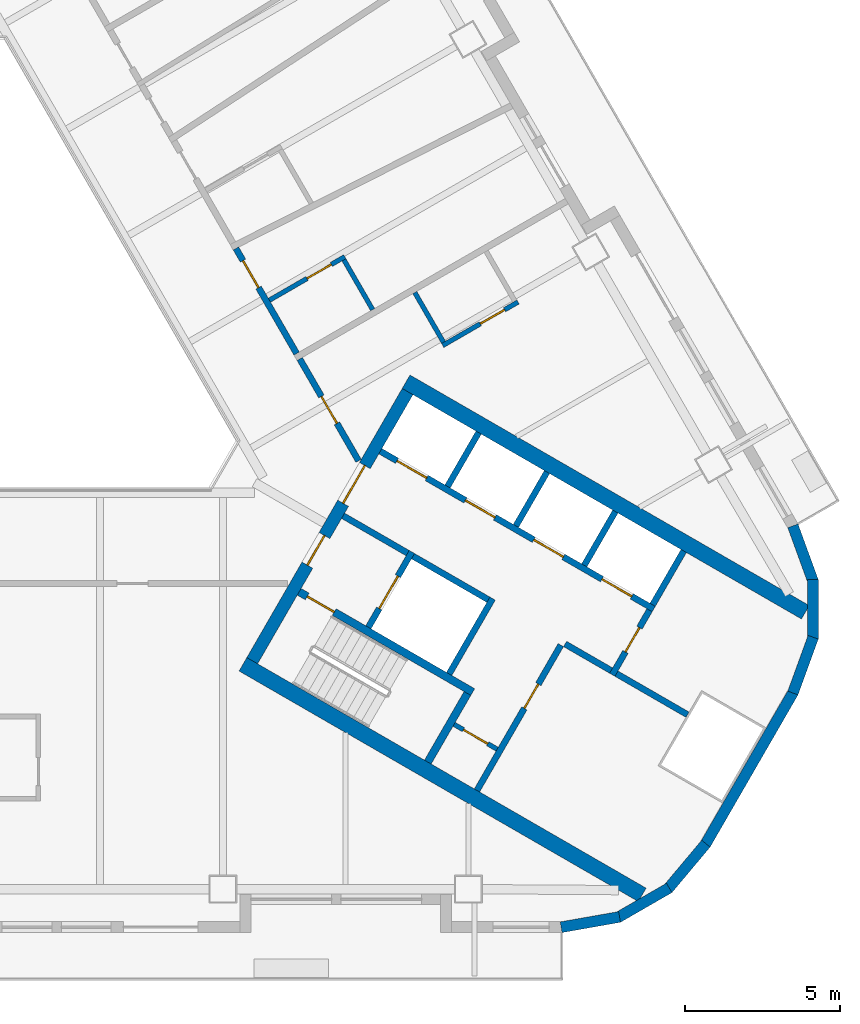
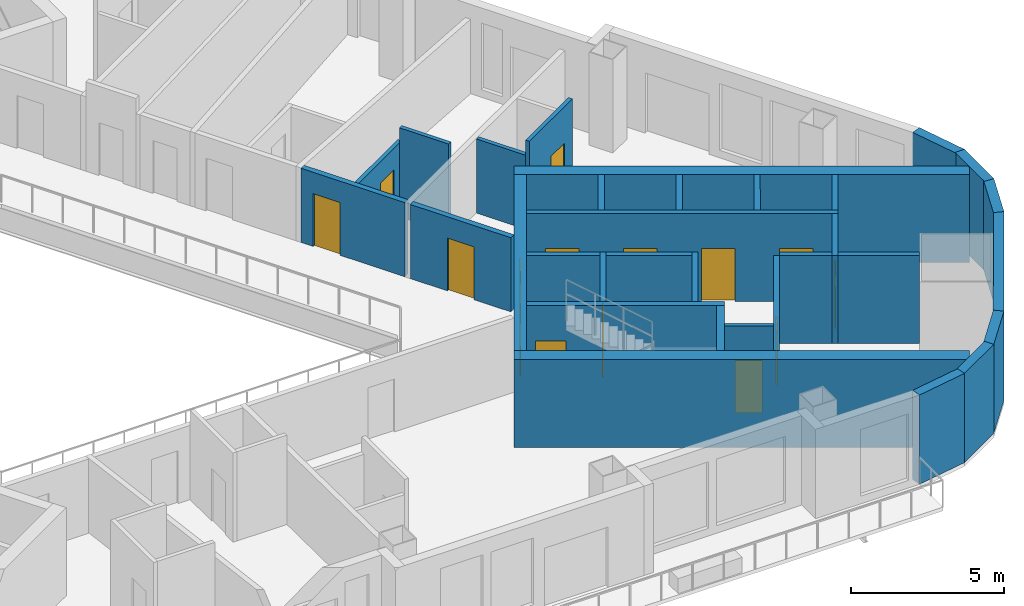
# One storey, part 5 of 14: 32 walls, 15 doors, 15 openings.
"""IFC4 building model written with IfcOpenShell, lengths in metres."""

from ifc_helpers import new_model, si_unit, direction, frame, frame_2d, origin, place, context, subcontext, project, spatial, rectangle, extrude, material, layer, layer_set, type_object, element, fill, save


model = new_model("IFC4")

# Units and contexts
model_context = context("Model", 3, precision=1e-05, world=origin(), true_north=direction((0.0, 1.0)))
body_context = subcontext(model_context, "Body", "Model", "MODEL_VIEW")
ifc_project = project(units=[si_unit("LENGTHUNIT", "METRE"), si_unit("AREAUNIT", "SQUARE_METRE"), si_unit("VOLUMEUNIT", "CUBIC_METRE"), si_unit("PLANEANGLEUNIT", "RADIAN"), si_unit("MASSUNIT", "GRAM", prefix="KILO")], contexts=[model_context])

# Site, building, storey
site_placement = place(None, origin())
site = spatial("IfcSite", under=ifc_project, at=site_placement, CompositionType="ELEMENT")
building_placement = place(site_placement, origin())
building = spatial("IfcBuilding", under=site, at=building_placement, Name="Apuvela Tower Hotel", CompositionType="ELEMENT")
storey_placement = place(building_placement, frame((0.0, 0.0, 116.800048828125)))
storey = spatial("IfcBuildingStorey", under=building, at=storey_placement, Name="L27", CompositionType="ELEMENT", Elevation=116.800048828125)

# Wall, openings, doors
ifc_material_1 = material(Name="Concrete C50/60", Category="concrete")
ifc_layer_1 = layer(ifc_material_1, 0.39990234375)
ifc_layer_set_1 = layer_set([ifc_layer_1], Name="COR-WALL-CORE-400")
wall_type_1 = type_object("IfcWallType", Name="COR-WALL-CORE-400", PredefinedType="SHEAR", material=ifc_layer_set_1)
wall_1_placement = place(storey_placement, frame((8.844970703125, -10.880126953125, 0.0), z_axis=(0.0, 0.0, 1.0), x_axis=(0.500004234368, 0.866022959057, 0.0)))
wall_1 = element("IfcWall", 1, at=wall_1_placement, inside=storey, type_object=wall_type_1, Name="Core wall SE", PredefinedType="SHEAR", context=body_context, shape_type="SweptSolid", body=[
    extrude(rectangle(XDim=10.0, YDim=0.39990234375, at=frame_2d((5.0, 0.0))), origin(), (0.0, 0.0, 1.0), 3.5),
])
opening_1_placement = place(wall_1_placement, frame((3.550048828125, 0.0, 0.0)))
opening_1 = element("IfcOpeningElement", 2, at=opening_1_placement, cuts=wall_1, Name="Opening E-FD", PredefinedType="OPENING", context=body_context, shape_type="SweptSolid", body=[
    extrude(rectangle(XDim=1.10009765625, YDim=2.10009765625, at=frame_2d((0.550048828125, 1.050048828125))), frame((0.0, 0.2099609375, 0.0), z_axis=(0.0, -1.0, 0.0), x_axis=(1.0, 0.0, 0.0)), (0.0, 0.0, 1.0), 0.419921875),
])
opening_2_placement = place(wall_1_placement, frame((5.85009765625, 0.0, 0.0)))
opening_2 = element("IfcOpeningElement", 3, at=opening_2_placement, cuts=wall_1, Name="Opening E-GD", PredefinedType="OPENING", context=body_context, shape_type="SweptSolid", body=[
    extrude(rectangle(XDim=1.39990234375, YDim=2.10009765625, at=frame_2d((0.699951171875, 1.050048828125))), frame((0.0, 0.2099609375, 0.0), z_axis=(0.0, -1.0, 0.0), x_axis=(1.0, 0.0, 0.0)), (0.0, 0.0, 1.0), 0.419921875),
])
ifc_material_2 = material(Name="Steel fire door, powder coated", Category="steel")
door_type_1 = type_object("IfcDoorType", Name="COR-FD-1100", OperationType="NOTDEFINED", PredefinedType="DOOR", material=ifc_material_2)
door_1_placement = place(opening_1_placement, frame((1.10009765625, 0.0, 0.0), z_axis=(0.0, 0.0, 1.0), x_axis=(-1.0, 0.0, 0.0)))
door_1 = element("IfcDoor", 4, at=door_1_placement, inside=storey, type_object=door_type_1, Name="Firefighting lobby door E-FD", OperationType="SINGLE_SWING_LEFT", OverallHeight=2.10009765625, OverallWidth=1.10009765625, PredefinedType="DOOR", context=body_context, shape_type="SweptSolid", body=[
    extrude(rectangle(XDim=1.10009765625, YDim=2.10009765625, at=frame_2d((0.550048828125, 1.050048828125))), frame((0.0, 0.02490234375, 0.0), z_axis=(0.0, -1.0, 0.0), x_axis=(1.0, 0.0, 0.0)), (0.0, 0.0, 1.0), 0.050048828125),
])
fill(opening_1, door_1)
ifc_material_3 = material(Name="Glazed steel fire door", Category="steel")
door_type_2 = type_object("IfcDoorType", Name="COR-GD-1400", OperationType="DOUBLE_DOOR_SINGLE_SWING", PredefinedType="DOOR", material=ifc_material_3)
door_2_placement = place(opening_2_placement, frame((1.39990234375, 0.0, 0.0), z_axis=(0.0, 0.0, 1.0), x_axis=(-1.0, 0.0, 0.0)))
door_2 = element("IfcDoor", 5, at=door_2_placement, inside=storey, type_object=door_type_2, Name="Lift lobby door E-GD", OperationType="DOUBLE_DOOR_SINGLE_SWING", OverallHeight=2.10009765625, OverallWidth=1.39990234375, PredefinedType="DOOR", context=body_context, shape_type="SweptSolid", body=[
    extrude(rectangle(XDim=1.39990234375, YDim=2.10009765625, at=frame_2d((0.699951171875, 1.050048828125))), frame((0.0, 0.02490234375, 0.0), z_axis=(0.0, -1.0, 0.0), x_axis=(1.0, 0.0, 0.0)), (0.0, 0.0, 1.0), 0.050048828125),
])
fill(opening_2, door_2)

# Walls
ifc_layer_2 = layer(ifc_material_1, 0.5)
ifc_layer_set_2 = layer_set([ifc_layer_2], Name="COR-WALL-CORE-500")
wall_type_2 = type_object("IfcWallType", Name="COR-WALL-CORE-500", PredefinedType="SHEAR", material=ifc_layer_set_2)
for number, where, z_axis, x_axis, name in (
    (6, (8.546630859375, -10.99658203125, 0.0), (0.0, 0.0, 1.0), (0.866025009528, -0.500000682871, 0.0), "Core wall SE"),
    (7, (13.796630859375, -1.9033203125, 0.0), (0.0, 0.0, 1.0), (0.866025009528, -0.500000682871, 0.0), "Core wall SE"),
):
    element("IfcWall", number, at=place(storey_placement, frame(where, z_axis=z_axis, x_axis=x_axis)), inside=storey, type_object=wall_type_2, Name=name, PredefinedType="SHEAR", context=body_context, shape_type="SweptSolid", body=[
        extrude(rectangle(XDim=14.8369140625, YDim=0.5, at=frame_2d((7.41845703125, 0.0))), origin(), (0.0, 0.0, 1.0), 3.5),
    ])

# Wall, opening, door
ifc_material_4 = material(Name="Blockwork 150 mm plastered", Category="masonry")
ifc_layer_3 = layer(ifc_material_4, 0.14990234375)
ifc_layer_set_3 = layer_set([ifc_layer_3], Name="COR-WALL-PART-150")
wall_type_3 = type_object("IfcWallType", Name="COR-WALL-PART-150", PredefinedType="PARTITIONING", material=ifc_layer_set_3)
wall_2_placement = place(storey_placement, frame((15.341552734375, -12.927734375, 0.0), z_axis=(0.0, 0.0, 1.0), x_axis=(0.865989903783, -0.500061482766, 0.0)))
wall_2 = element("IfcWall", 8, at=wall_2_placement, inside=storey, type_object=wall_type_3, Name="Partition SE", PredefinedType="PARTITIONING", context=body_context, shape_type="SweptSolid", body=[
    extrude(rectangle(XDim=1.599853515625, YDim=0.14990234375, at=frame_2d((0.7998046875, 0.0))), origin(), (0.0, 0.0, 1.0), 3.5),
])
opening_3_placement = place(wall_2_placement, frame((0.35009765625, 0.0, 0.0)))
opening_3 = element("IfcOpeningElement", 9, at=opening_3_placement, cuts=wall_2, Name="Opening E-RD", PredefinedType="OPENING", context=body_context, shape_type="SweptSolid", body=[
    extrude(rectangle(XDim=0.89990234375, YDim=2.10009765625, at=frame_2d((0.449951171875, 1.050048828125))), frame((0.0, 0.0849609375, 0.0), z_axis=(0.0, -1.0, 0.0), x_axis=(1.0, 0.0, 0.0)), (0.0, 0.0, 1.0), 0.169921875),
])
ifc_material_5 = material(Name="Steel access door, powder coated", Category="steel")
door_type_3 = type_object("IfcDoorType", Name="COR-RD-900", OperationType="NOTDEFINED", PredefinedType="DOOR", material=ifc_material_5)
door_3_placement = place(opening_3_placement, frame((0.89990234375, 0.0, 0.0), z_axis=(0.0, 0.0, 1.0), x_axis=(-1.0, 0.0, 0.0)))
door_3 = element("IfcDoor", 10, at=door_3_placement, inside=storey, type_object=door_type_3, Name="Riser door E-RD", OperationType="SINGLE_SWING_LEFT", OverallHeight=2.10009765625, OverallWidth=0.89990234375, PredefinedType="DOOR", context=body_context, shape_type="SweptSolid", body=[
    extrude(rectangle(XDim=0.89990234375, YDim=2.10009765625, at=frame_2d((0.449951171875, 1.050048828125))), frame((0.0, 0.02490234375, 0.0), z_axis=(0.0, -1.0, 0.0), x_axis=(1.0, 0.0, 0.0)), (0.0, 0.0, 1.0), 0.050048828125),
])
fill(opening_3, door_3)

ifc_material_6 = material(Name="Blockwork 200 mm plastered", Category="masonry")
ifc_layer_4 = layer(ifc_material_6, 0.199951171875)
ifc_layer_set_4 = layer_set([ifc_layer_4], Name="COR-WALL-PART-200")
wall_type_4 = type_object("IfcWallType", Name="COR-WALL-PART-200", PredefinedType="PARTITIONING", material=ifc_layer_set_4)
wall_3_placement = place(storey_placement, frame((16.076171875, -15.05517578125, 0.0), z_axis=(0.0, 0.0, 1.0), x_axis=(0.499995103361, 0.866028230842, 0.0)))
wall_3 = element("IfcWall", 11, at=wall_3_placement, inside=storey, type_object=wall_type_4, Name="Partition SE", PredefinedType="PARTITIONING", context=body_context, shape_type="SweptSolid", body=[
    extrude(rectangle(XDim=5.39990234375, YDim=0.199951171875, at=frame_2d((2.699951171875, 0.0))), origin(), (0.0, 0.0, 1.0), 3.5),
])
opening_4_placement = place(wall_3_placement, frame((3.050048828125, 0.0, 0.0)))
opening_4 = element("IfcOpeningElement", 12, at=opening_4_placement, cuts=wall_3, Name="Opening E-RS1", PredefinedType="OPENING", context=body_context, shape_type="SweptSolid", body=[
    extrude(rectangle(XDim=0.89990234375, YDim=2.10009765625, at=frame_2d((0.449951171875, 1.050048828125))), frame((0.0, 0.10986328125, 0.0), z_axis=(0.0, -1.0, 0.0), x_axis=(1.0, 0.0, 0.0)), (0.0, 0.0, 1.0), 0.219970703125),
])
door_type_4 = type_object("IfcDoorType", Name="COR-DR-900", OperationType="NOTDEFINED", PredefinedType="DOOR", material=ifc_material_2)
door_4_placement = place(opening_4_placement, frame((0.89990234375, 0.0, 0.0), z_axis=(0.0, 0.0, 1.0), x_axis=(-1.0, 0.0, 0.0)))
door_4 = element("IfcDoor", 13, at=door_4_placement, inside=storey, type_object=door_type_4, Name="Store door E-RS1", OperationType="SINGLE_SWING_LEFT", OverallHeight=2.10009765625, OverallWidth=0.89990234375, PredefinedType="DOOR", context=body_context, shape_type="SweptSolid", body=[
    extrude(rectangle(XDim=0.89990234375, YDim=2.10009765625, at=frame_2d((0.449951171875, 1.050048828125))), frame((0.0, 0.02490234375, 0.0), z_axis=(0.0, -1.0, 0.0), x_axis=(1.0, 0.0, 0.0)), (0.0, 0.0, 1.0), 0.050048828125),
])
fill(opening_4, door_4)

# Wall
ifc_layer_5 = layer(ifc_material_1, 0.199951171875)
ifc_layer_set_5 = layer_set([ifc_layer_5], Name="COR-WALL-SHAFT-200")
wall_type_5 = type_object("IfcWallType", Name="COR-WALL-SHAFT-200", PredefinedType="SHEAR", material=ifc_layer_set_5)
wall_4_placement = place(storey_placement, frame((15.181396484375, -11.305419921875, 0.0), z_axis=(0.0, 0.0, 1.0), x_axis=(0.49994636267, 0.866056369097, 0.0)))
element("IfcWall", 14, at=wall_4_placement, inside=storey, type_object=wall_type_5, Name="Shaft wall SE", PredefinedType="SHEAR", context=body_context, shape_type="SweptSolid", body=[
    extrude(rectangle(XDim=2.800048828125, YDim=0.199951171875, at=frame_2d((1.39990234375, 0.0))), origin(), (0.0, 0.0, 1.0), 3.5),
])

# Wall, opening, door
wall_5_placement = place(storey_placement, frame((12.583251953125, -9.805419921875, 0.0), z_axis=(0.0, 0.0, 1.0), x_axis=(0.49994636267, 0.866056369097, 0.0)))
wall_5 = element("IfcWall", 15, at=wall_5_placement, inside=storey, type_object=wall_type_5, Name="Shaft wall SE", PredefinedType="SHEAR", context=body_context, shape_type="SweptSolid", body=[
    extrude(rectangle(XDim=2.800048828125, YDim=0.199951171875, at=frame_2d((1.39990234375, 0.0))), origin(), (0.0, 0.0, 1.0), 3.5),
])
opening_5_placement = place(wall_5_placement, frame((0.699951171875, 0.0, 0.0)))
opening_5 = element("IfcOpeningElement", 16, at=opening_5_placement, cuts=wall_5, Name="Opening E-LD-FS3", PredefinedType="OPENING", context=body_context, shape_type="SweptSolid", body=[
    extrude(rectangle(XDim=1.199951171875, YDim=2.10009765625, at=frame_2d((0.60009765625, 1.050048828125))), frame((0.0, 0.10986328125, 0.0), z_axis=(0.0, -1.0, 0.0), x_axis=(1.0, 0.0, 0.0)), (0.0, 0.0, 1.0), 0.219970703125),
])
ifc_material_7 = material(Name="Stainless steel lift landing door", Category="steel")
door_type_5 = type_object("IfcDoorType", Name="COR-LD-1200", OperationType="DOUBLE_DOOR_SLIDING", PredefinedType="DOOR", material=ifc_material_7)
door_5_placement = place(opening_5_placement, origin())
door_5 = element("IfcDoor", 17, at=door_5_placement, inside=storey, type_object=door_type_5, Name="Lift landing door E-LD-FS3", OperationType="DOUBLE_DOOR_SLIDING", OverallHeight=2.10009765625, OverallWidth=1.199951171875, PredefinedType="DOOR", context=body_context, shape_type="SweptSolid", body=[
    extrude(rectangle(XDim=1.199951171875, YDim=2.10009765625, at=frame_2d((0.60009765625, 1.050048828125))), frame((0.0, 0.02490234375, 0.0), z_axis=(0.0, -1.0, 0.0), x_axis=(1.0, 0.0, 0.0)), (0.0, 0.0, 1.0), 0.050048828125),
])
fill(opening_5, door_5)

# Walls
wall_6_placement = place(storey_placement, frame((11.76806640625, -6.217041015625, 0.0), z_axis=(0.0, 0.0, 1.0), x_axis=(0.866050077142, -0.499957262057, 0.0)))
element("IfcWall", 18, at=wall_6_placement, inside=storey, type_object=wall_type_5, Name="Shaft wall SE", PredefinedType="SHEAR", context=body_context, shape_type="SweptSolid", body=[
    extrude(rectangle(XDim=2.400146484375, YDim=0.199951171875, at=frame_2d((1.2001953125, 0.0))), origin(), (0.0, 0.0, 1.0), 3.5),
])
wall_7_placement = place(storey_placement, frame((14.019775390625, -7.51708984375, 0.0), z_axis=(0.0, 0.0, 1.0), x_axis=(0.866034573852, -0.49998411664, 0.0)))
element("IfcWall", 19, at=wall_7_placement, inside=storey, type_object=wall_type_5, Name="Shaft wall SE", PredefinedType="SHEAR", context=body_context, shape_type="SweptSolid", body=[
    extrude(rectangle(XDim=2.7998046875, YDim=0.199951171875, at=frame_2d((1.39990234375, 0.0))), origin(), (0.0, 0.0, 1.0), 3.5),
])

# Wall, openings, doors
wall_8_placement = place(storey_placement, frame((12.968017578125, -4.138427734375, 0.0), z_axis=(0.0, 0.0, 1.0), x_axis=(0.866028328073, -0.49999493495, 0.0)))
wall_8 = element("IfcWall", 20, at=wall_8_placement, inside=storey, type_object=wall_type_5, Name="Shaft wall SE", PredefinedType="SHEAR", context=body_context, shape_type="SweptSolid", body=[
    extrude(rectangle(XDim=10.16015625, YDim=0.199951171875, at=frame_2d((5.080078125, 0.0))), origin(), (0.0, 0.0, 1.0), 3.5),
])
opening_6_placement = place(wall_8_placement, frame((0.6201171875, 0.0, 0.0)))
opening_6 = element("IfcOpeningElement", 21, at=opening_6_placement, cuts=wall_8, Name="Opening E-LD-LR1", PredefinedType="OPENING", context=body_context, shape_type="SweptSolid", body=[
    extrude(rectangle(XDim=1.10009765625, YDim=2.10009765625, at=frame_2d((0.550048828125, 1.050048828125))), frame((0.0, 0.10986328125, 0.0), z_axis=(0.0, -1.0, 0.0), x_axis=(1.0, 0.0, 0.0)), (0.0, 0.0, 1.0), 0.219970703125),
])
opening_7_placement = place(wall_8_placement, frame((3.159912109375, 0.0, 0.0)))
opening_7 = element("IfcOpeningElement", 22, at=opening_7_placement, cuts=wall_8, Name="Opening E-LD-LR2", PredefinedType="OPENING", context=body_context, shape_type="SweptSolid", body=[
    extrude(rectangle(XDim=1.10009765625, YDim=2.10009765625, at=frame_2d((0.550048828125, 1.050048828125))), frame((0.0, 0.10986328125, 0.0), z_axis=(0.0, -1.0, 0.0), x_axis=(1.0, 0.0, 0.0)), (0.0, 0.0, 1.0), 0.219970703125),
])
opening_8_placement = place(wall_8_placement, frame((5.699951171875, 0.0, 0.0)))
opening_8 = element("IfcOpeningElement", 23, at=opening_8_placement, cuts=wall_8, Name="Opening E-LD-LR3", PredefinedType="OPENING", context=body_context, shape_type="SweptSolid", body=[
    extrude(rectangle(XDim=1.10009765625, YDim=2.10009765625, at=frame_2d((0.550048828125, 1.050048828125))), frame((0.0, 0.10986328125, 0.0), z_axis=(0.0, -1.0, 0.0), x_axis=(1.0, 0.0, 0.0)), (0.0, 0.0, 1.0), 0.219970703125),
])
opening_9_placement = place(wall_8_placement, frame((8.239990234375, 0.0, 0.0)))
opening_9 = element("IfcOpeningElement", 24, at=opening_9_placement, cuts=wall_8, Name="Opening E-LD-LR4", PredefinedType="OPENING", context=body_context, shape_type="SweptSolid", body=[
    extrude(rectangle(XDim=1.10009765625, YDim=2.10009765625, at=frame_2d((0.550048828125, 1.050048828125))), frame((0.0, 0.10986328125, 0.0), z_axis=(0.0, -1.0, 0.0), x_axis=(1.0, 0.0, 0.0)), (0.0, 0.0, 1.0), 0.219970703125),
])
door_type_6 = type_object("IfcDoorType", Name="COR-LD-1100", OperationType="DOUBLE_DOOR_SLIDING", PredefinedType="DOOR", material=ifc_material_7)
door_6_placement = place(opening_6_placement, origin())
door_6 = element("IfcDoor", 25, at=door_6_placement, inside=storey, type_object=door_type_6, Name="Lift landing door E-LD-LR1", OperationType="DOUBLE_DOOR_SLIDING", OverallHeight=2.10009765625, OverallWidth=1.10009765625, PredefinedType="DOOR", context=body_context, shape_type="SweptSolid", body=[
    extrude(rectangle(XDim=1.10009765625, YDim=2.10009765625, at=frame_2d((0.550048828125, 1.050048828125))), frame((0.0, 0.02490234375, 0.0), z_axis=(0.0, -1.0, 0.0), x_axis=(1.0, 0.0, 0.0)), (0.0, 0.0, 1.0), 0.050048828125),
])
fill(opening_6, door_6)
door_7_placement = place(opening_7_placement, origin())
door_7 = element("IfcDoor", 26, at=door_7_placement, inside=storey, type_object=door_type_6, Name="Lift landing door E-LD-LR2", OperationType="DOUBLE_DOOR_SLIDING", OverallHeight=2.10009765625, OverallWidth=1.10009765625, PredefinedType="DOOR", context=body_context, shape_type="SweptSolid", body=[
    extrude(rectangle(XDim=1.10009765625, YDim=2.10009765625, at=frame_2d((0.550048828125, 1.050048828125))), frame((0.0, 0.02490234375, 0.0), z_axis=(0.0, -1.0, 0.0), x_axis=(1.0, 0.0, 0.0)), (0.0, 0.0, 1.0), 0.050048828125),
])
fill(opening_7, door_7)
door_8_placement = place(opening_8_placement, origin())
door_8 = element("IfcDoor", 27, at=door_8_placement, inside=storey, type_object=door_type_6, Name="Lift landing door E-LD-LR3", OperationType="DOUBLE_DOOR_SLIDING", OverallHeight=2.10009765625, OverallWidth=1.10009765625, PredefinedType="DOOR", context=body_context, shape_type="SweptSolid", body=[
    extrude(rectangle(XDim=1.10009765625, YDim=2.10009765625, at=frame_2d((0.550048828125, 1.050048828125))), frame((0.0, 0.02490234375, 0.0), z_axis=(0.0, -1.0, 0.0), x_axis=(1.0, 0.0, 0.0)), (0.0, 0.0, 1.0), 0.050048828125),
])
fill(opening_8, door_8)
door_9_placement = place(opening_9_placement, origin())
door_9 = element("IfcDoor", 28, at=door_9_placement, inside=storey, type_object=door_type_6, Name="Lift landing door E-LD-LR4", OperationType="DOUBLE_DOOR_SLIDING", OverallHeight=2.10009765625, OverallWidth=1.10009765625, PredefinedType="DOOR", context=body_context, shape_type="SweptSolid", body=[
    extrude(rectangle(XDim=1.10009765625, YDim=2.10009765625, at=frame_2d((0.550048828125, 1.050048828125))), frame((0.0, 0.02490234375, 0.0), z_axis=(0.0, -1.0, 0.0), x_axis=(1.0, 0.0, 0.0)), (0.0, 0.0, 1.0), 0.050048828125),
])
fill(opening_9, door_9)

# Wall, opening, door
wall_9_placement = place(storey_placement, frame((20.430419921875, -11.33349609375, 0.0), z_axis=(0.0, 0.0, 1.0), x_axis=(0.500001309137, 0.866024647952, 0.0)))
wall_9 = element("IfcWall", 29, at=wall_9_placement, inside=storey, type_object=wall_type_5, Name="Shaft wall SE", PredefinedType="SHEAR", context=body_context, shape_type="SweptSolid", body=[
    extrude(rectangle(XDim=2.39990234375, YDim=0.199951171875, at=frame_2d((1.199951171875, 0.0))), origin(), (0.0, 0.0, 1.0), 3.5),
])
opening_10_placement = place(wall_9_placement, frame((0.85009765625, 0.0, 0.0)))
opening_10 = element("IfcOpeningElement", 30, at=opening_10_placement, cuts=wall_9, Name="Opening E-REP", PredefinedType="OPENING", context=body_context, shape_type="SweptSolid", body=[
    extrude(rectangle(XDim=0.89990234375, YDim=2.10009765625, at=frame_2d((0.449951171875, 1.050048828125))), frame((0.0, 0.10986328125, 0.0), z_axis=(0.0, -1.0, 0.0), x_axis=(1.0, 0.0, 0.0)), (0.0, 0.0, 1.0), 0.219970703125),
])
door_10_placement = place(opening_10_placement, frame((0.89990234375, 0.0, 0.0), z_axis=(0.0, 0.0, 1.0), x_axis=(-1.0, 0.0, 0.0)))
door_10 = element("IfcDoor", 31, at=door_10_placement, inside=storey, type_object=door_type_4, Name="Store door E-REP", OperationType="SINGLE_SWING_RIGHT", OverallHeight=2.10009765625, OverallWidth=0.89990234375, PredefinedType="DOOR", context=body_context, shape_type="SweptSolid", body=[
    extrude(rectangle(XDim=0.89990234375, YDim=2.10009765625, at=frame_2d((0.449951171875, 1.050048828125))), frame((0.0, 0.02490234375, 0.0), z_axis=(0.0, -1.0, 0.0), x_axis=(1.0, 0.0, 0.0)), (0.0, 0.0, 1.0), 0.050048828125),
])
fill(opening_10, door_10)

# Walls
wall_10_placement = place(storey_placement, frame((18.912841796875, -10.342041015625, 0.0), z_axis=(0.0, 0.0, 1.0), x_axis=(0.866038183914, -0.499977863513, 0.0)))
element("IfcWall", 32, at=wall_10_placement, inside=storey, type_object=wall_type_5, Name="Shaft wall SE", PredefinedType="SHEAR", context=body_context, shape_type="SweptSolid", body=[
    extrude(rectangle(XDim=1.7099609375, YDim=0.199951171875, at=frame_2d((0.85498046875, 0.0))), origin(), (0.0, 0.0, 1.0), 3.5),
])
for number, where, z_axis, x_axis, name in (
    (33, (15.131103515625, -5.27197265625, 0.0), (0.0, 0.0, 1.0), (0.499972520799, 0.866041268327, 0.0), "Shaft wall SE"),
    (34, (17.330810546875, -6.5419921875, 0.0), (0.0, 0.0, 1.0), (0.499972520799, 0.866041268327, 0.0), "Shaft wall SE"),
    (35, (19.530517578125, -7.81201171875, 0.0), (0.0, 0.0, 1.0), (0.499972520799, 0.866041268327, 0.0), "Shaft wall SE"),
    (36, (21.73046875, -9.081787109375, 0.0), (0.0, 0.0, 1.0), (0.50002537861, 0.866010750942, 0.0), "Shaft wall SE"),
):
    element("IfcWall", number, at=place(storey_placement, frame(where, z_axis=z_axis, x_axis=x_axis)), inside=storey, type_object=wall_type_5, Name=name, PredefinedType="SHEAR", context=body_context, shape_type="SweptSolid", body=[
        extrude(rectangle(XDim=2.0, YDim=0.199951171875, at=frame_2d((1.0, 0.0))), origin(), (0.0, 0.0, 1.0), 3.5),
    ])
wall_11_placement = place(storey_placement, frame((20.56689453125, -11.297119140625, 0.0), z_axis=(0.0, 0.0, 1.0), x_axis=(0.866060851709, -0.499938597367, 0.0)))
element("IfcWall", 37, at=wall_11_placement, inside=storey, type_object=wall_type_5, Name="Shaft wall SE", PredefinedType="SHEAR", context=body_context, shape_type="SweptSolid", body=[
    extrude(rectangle(XDim=2.639892578125, YDim=0.199951171875, at=frame_2d((1.31982421875, 0.0))), origin(), (0.0, 0.0, 1.0), 3.5),
])

# Wall, opening, door
ifc_layer_6 = layer(ifc_material_1, 0.25)
ifc_layer_set_6 = layer_set([ifc_layer_6], Name="COR-WALL-STAIR-250")
wall_type_6 = type_object("IfcWallType", Name="COR-WALL-STAIR-250", PredefinedType="SHEAR", material=ifc_layer_set_6)
wall_12_placement = place(storey_placement, frame((10.355712890625, -8.66357421875, 0.0), z_axis=(0.0, 0.0, 1.0), x_axis=(0.866028629588, -0.499994412703, 0.0)))
wall_12 = element("IfcWall", 38, at=wall_12_placement, inside=storey, type_object=wall_type_6, Name="Stair wall SE", PredefinedType="SHEAR", context=body_context, shape_type="SweptSolid", body=[
    extrude(rectangle(XDim=6.44970703125, YDim=0.25, at=frame_2d((3.224853515625, 0.0))), origin(), (0.0, 0.0, 1.0), 3.5),
])
opening_11_placement = place(wall_12_placement, frame((0.300048828125, 0.0, 0.0)))
opening_11 = element("IfcOpeningElement", 39, at=opening_11_placement, cuts=wall_12, Name="Opening E-SD", PredefinedType="OPENING", context=body_context, shape_type="SweptSolid", body=[
    extrude(rectangle(XDim=1.0, YDim=2.10009765625, at=frame_2d((0.5, 1.050048828125))), frame((0.0, 0.135009765625, 0.0), z_axis=(0.0, -1.0, 0.0), x_axis=(1.0, 0.0, 0.0)), (0.0, 0.0, 1.0), 0.27001953125),
])
door_type_7 = type_object("IfcDoorType", Name="COR-SD-1000", OperationType="NOTDEFINED", PredefinedType="DOOR", material=ifc_material_2)
door_11_placement = place(opening_11_placement, frame((1.0, 0.0, 0.0), z_axis=(0.0, 0.0, 1.0), x_axis=(-1.0, 0.0, 0.0)))
door_11 = element("IfcDoor", 40, at=door_11_placement, inside=storey, type_object=door_type_7, Name="Stair door E-SD", OperationType="SINGLE_SWING_LEFT", OverallHeight=2.10009765625, OverallWidth=1.0, PredefinedType="DOOR", context=body_context, shape_type="SweptSolid", body=[
    extrude(rectangle(XDim=1.0, YDim=2.10009765625, at=frame_2d((0.5, 1.050048828125))), frame((0.0, 0.02490234375, 0.0), z_axis=(0.0, -1.0, 0.0), x_axis=(1.0, 0.0, 0.0)), (0.0, 0.0, 1.0), 0.050048828125),
])
fill(opening_11, door_11)

# Walls
wall_13_placement = place(storey_placement, frame((14.49560546875, -14.142578125, 0.0), z_axis=(0.0, 0.0, 1.0), x_axis=(0.500062241894, 0.865989465428, 0.0)))
element("IfcWall", 41, at=wall_13_placement, inside=storey, type_object=wall_type_6, Name="Stair wall SE", PredefinedType="SHEAR", context=body_context, shape_type="SweptSolid", body=[
    extrude(rectangle(XDim=2.550048828125, YDim=0.25, at=frame_2d((1.27490234375, 0.0))), origin(), (0.0, 0.0, 1.0), 3.5),
])
ifc_material_8 = material(Name="Concrete C40/50, dark pigmented precast panel", Category="concrete")
ifc_layer_7 = layer(ifc_material_8, 0.35009765625)
ifc_layer_set_7 = layer_set([ifc_layer_7], Name="ENV-WALL-350")
wall_type_7 = type_object("IfcWallType", Name="ENV-WALL-350", PredefinedType="SOLIDWALL", material=ifc_layer_set_7)
wall_14_placement = place(storey_placement, frame((18.785400390625, -19.457763671875, 0.0), z_axis=(0.0, 0.0, 1.0), x_axis=(0.984798995425, 0.173697837091, 0.0)))
element("IfcWall", 42, at=wall_14_placement, inside=storey, type_object=wall_type_7, Name="External wall L27-26", PredefinedType="SOLIDWALL", context=body_context, shape_type="SweptSolid", body=[
    extrude(rectangle(XDim=1.91015625, YDim=0.35009765625, at=frame_2d((0.955078125, 0.0))), origin(), (0.0, 0.0, 1.0), 3.550048828125),
])
for number, where, z_axis, x_axis, name in (
    (43, (20.609619140625, -19.146728515625, 0.0), (0.0, 0.0, 1.0), (0.866000389056, 0.500043324278, 0.0), "External wall L27-27"),
    (44, (22.21728515625, -18.230712890625, 0.0), (0.0, 0.0, 1.0), (0.642733291068, 0.76609001857, 0.0), "External wall L27-28"),
):
    element("IfcWall", number, at=place(storey_placement, frame(where, z_axis=z_axis, x_axis=x_axis)), inside=storey, type_object=wall_type_7, Name=name, PredefinedType="SOLIDWALL", context=body_context, shape_type="SweptSolid", body=[
        extrude(rectangle(XDim=1.909912109375, YDim=0.35009765625, at=frame_2d((0.955078125, 0.0))), origin(), (0.0, 0.0, 1.0), 3.550048828125),
    ])
wall_15_placement = place(storey_placement, frame((23.427490234375, -16.79248046875, 0.0), z_axis=(0.0, 0.0, 1.0), x_axis=(0.500018773155, 0.866014564827, 0.0)))
element("IfcWall", 45, at=wall_15_placement, inside=storey, type_object=wall_type_7, Name="External wall L27-29", PredefinedType="SOLIDWALL", context=body_context, shape_type="SweptSolid", body=[
    extrude(rectangle(XDim=5.657958984375, YDim=0.35009765625, at=frame_2d((2.8291015625, 0.0))), origin(), (0.0, 0.0, 1.0), 3.550048828125),
])
for number, where, z_axis, x_axis, name in (
    (46, (26.24365234375, -11.920166015625, 0.0), (0.0, 0.0, 1.0), (0.342030395486, 0.939688889242, 0.0), "External wall L27-30"),
    (47, (26.88623046875, -10.18505859375, 0.0), (0.0, 0.0, 1.0), (0.0, 1.0, 0.0), "External wall L27-31"),
    (48, (26.89697265625, -8.334716796875, 0.0), (0.0, 0.0, 1.0), (-0.342030395486, 0.939688889242, 0.0), "External wall L27-32"),
):
    element("IfcWall", number, at=place(storey_placement, frame(where, z_axis=z_axis, x_axis=x_axis)), inside=storey, type_object=wall_type_7, Name=name, PredefinedType="SOLIDWALL", context=body_context, shape_type="SweptSolid", body=[
        extrude(rectangle(XDim=1.91015625, YDim=0.35009765625, at=frame_2d((0.955078125, 0.0))), origin(), (0.0, 0.0, 1.0), 3.550048828125),
    ])

# Wall, opening, door
ifc_material_9 = material(Name="Gypsum board corridor wall on twin steel stud, acoustic", Category="steel")
ifc_layer_8 = layer(ifc_material_9, 0.199951171875)
ifc_layer_set_8 = layer_set([ifc_layer_8], Name="GST-PW2")
wall_type_8 = type_object("IfcWallType", Name="GST-PW2", PredefinedType="PARTITIONING", material=ifc_layer_set_8)
wall_16_placement = place(storey_placement, frame((10.37451171875, -1.16943359375, 0.0), z_axis=(0.0, 0.0, 1.0), x_axis=(0.500055316652, -0.865993464345, 0.0)))
wall_16 = element("IfcWall", 49, at=wall_16_placement, inside=storey, type_object=wall_type_8, Name="L27 partition 20", PredefinedType="PARTITIONING", context=body_context, shape_type="SweptSolid", body=[
    extrude(rectangle(XDim=3.7880859375, YDim=0.199951171875, at=frame_2d((1.89404296875, 0.0))), origin(), (0.0, 0.0, 1.0), 2.949951171875),
])
opening_12_placement = place(wall_16_placement, frame((1.39404296875, 0.0, 0.0)))
opening_12 = element("IfcOpeningElement", 50, at=opening_12_placement, cuts=wall_16, Name="Opening GD10-08", PredefinedType="OPENING", context=body_context, shape_type="SweptSolid", body=[
    extrude(rectangle(XDim=1.0, YDim=2.10009765625, at=frame_2d((0.5, 1.050048828125))), frame((0.0, 0.10986328125, 0.0), z_axis=(0.0, -1.0, 0.0), x_axis=(1.0, 0.0, 0.0)), (0.0, 0.0, 1.0), 0.219970703125),
])
ifc_material_10 = material(Name="Timber door leaf in steel frame", Category="steel")
door_type_8 = type_object("IfcDoorType", Name="GST-D1", OperationType="NOTDEFINED", PredefinedType="DOOR", material=ifc_material_10)
door_12_placement = place(opening_12_placement, origin())
door_12 = element("IfcDoor", 51, at=door_12_placement, inside=storey, type_object=door_type_8, Name="Door L27-08", OperationType="SINGLE_SWING_LEFT", OverallHeight=2.10009765625, OverallWidth=1.0, PredefinedType="DOOR", context=body_context, shape_type="SweptSolid", body=[
    extrude(rectangle(XDim=1.0, YDim=2.10009765625, at=frame_2d((0.5, 1.050048828125))), frame((0.0, 0.02490234375, 0.0), z_axis=(0.0, -1.0, 0.0), x_axis=(1.0, 0.0, 0.0)), (0.0, 0.0, 1.0), 0.050048828125),
])
fill(opening_12, door_12)

wall_17_placement = place(storey_placement, frame((8.322021484375, 2.385986328125, 0.0), z_axis=(0.0, 0.0, 1.0), x_axis=(0.499998439657, -0.866026304647, 0.0)))
wall_17 = element("IfcWall", 52, at=wall_17_placement, inside=storey, type_object=wall_type_8, Name="L27 partition 24", PredefinedType="PARTITIONING", context=body_context, shape_type="SweptSolid", body=[
    extrude(rectangle(XDim=3.9052734375, YDim=0.199951171875, at=frame_2d((1.95263671875, 0.0))), origin(), (0.0, 0.0, 1.0), 2.949951171875),
])
opening_13_placement = place(wall_17_placement, frame((0.455322265625, 0.0, 0.0)))
opening_13 = element("IfcOpeningElement", 53, at=opening_13_placement, cuts=wall_17, Name="Opening GD10-10", PredefinedType="OPENING", context=body_context, shape_type="SweptSolid", body=[
    extrude(rectangle(XDim=1.0, YDim=2.10009765625, at=frame_2d((0.5, 1.050048828125))), frame((0.0, 0.10986328125, 0.0), z_axis=(0.0, -1.0, 0.0), x_axis=(1.0, 0.0, 0.0)), (0.0, 0.0, 1.0), 0.219970703125),
])
door_13_placement = place(opening_13_placement, origin())
door_13 = element("IfcDoor", 54, at=door_13_placement, inside=storey, type_object=door_type_8, Name="Door L27-10", OperationType="SINGLE_SWING_LEFT", OverallHeight=2.10009765625, OverallWidth=1.0, PredefinedType="DOOR", context=body_context, shape_type="SweptSolid", body=[
    extrude(rectangle(XDim=1.0, YDim=2.10009765625, at=frame_2d((0.5, 1.050048828125))), frame((0.0, 0.02490234375, 0.0), z_axis=(0.0, -1.0, 0.0), x_axis=(1.0, 0.0, 0.0)), (0.0, 0.0, 1.0), 0.050048828125),
])
fill(opening_13, door_13)

ifc_material_11 = material(Name="Moisture-resistant gypsum board wet wall on steel stud", Category="steel")
ifc_layer_9 = layer(ifc_material_11, 0.14990234375)
ifc_layer_set_9 = layer_set([ifc_layer_9], Name="GST-PW3")
wall_type_9 = type_object("IfcWallType", Name="GST-PW3", PredefinedType="PARTITIONING", material=ifc_layer_set_9)
wall_18_placement = place(storey_placement, frame((14.974365234375, -0.736572265625, 0.0), z_axis=(0.0, 0.0, 1.0), x_axis=(0.866018616679, 0.500011755427, 0.0)))
wall_18 = element("IfcWall", 55, at=wall_18_placement, inside=storey, type_object=wall_type_9, Name="L27 partition 21", PredefinedType="PARTITIONING", context=body_context, shape_type="SweptSolid", body=[
    extrude(rectangle(XDim=2.80029296875, YDim=0.14990234375, at=frame_2d((1.400146484375, 0.0))), origin(), (0.0, 0.0, 1.0), 3.550048828125),
])
opening_14_placement = place(wall_18_placement, frame((1.39990234375, 0.0, 0.0)))
opening_14 = element("IfcOpeningElement", 56, at=opening_14_placement, cuts=wall_18, Name="Opening GD10-07", PredefinedType="OPENING", context=body_context, shape_type="SweptSolid", body=[
    extrude(rectangle(XDim=0.89990234375, YDim=2.10009765625, at=frame_2d((0.449951171875, 1.050048828125))), frame((0.0, 0.0849609375, 0.0), z_axis=(0.0, -1.0, 0.0), x_axis=(1.0, 0.0, 0.0)), (0.0, 0.0, 1.0), 0.169921875),
])
door_type_9 = type_object("IfcDoorType", Name="GST-D2", OperationType="NOTDEFINED", PredefinedType="DOOR", material=ifc_material_10)
door_14_placement = place(opening_14_placement, origin())
door_14 = element("IfcDoor", 57, at=door_14_placement, inside=storey, type_object=door_type_9, Name="Door L27-07", OperationType="SINGLE_SWING_RIGHT", OverallHeight=2.10009765625, OverallWidth=0.89990234375, PredefinedType="DOOR", context=body_context, shape_type="SweptSolid", body=[
    extrude(rectangle(XDim=0.89990234375, YDim=2.10009765625, at=frame_2d((0.449951171875, 1.050048828125))), frame((0.0, 0.02490234375, 0.0), z_axis=(0.0, -1.0, 0.0), x_axis=(1.0, 0.0, 0.0)), (0.0, 0.0, 1.0), 0.050048828125),
])
fill(opening_14, door_14)

# Wall
wall_19_placement = place(storey_placement, frame((15.001953125, -0.634033203125, 0.0), z_axis=(0.0, 0.0, 1.0), x_axis=(-0.500042316284, 0.866000971088, 0.0)))
element("IfcWall", 58, at=wall_19_placement, inside=storey, type_object=wall_type_9, Name="L27 partition 23", PredefinedType="PARTITIONING", context=body_context, shape_type="SweptSolid", body=[
    extrude(rectangle(XDim=1.849853515625, YDim=0.14990234375, at=frame_2d((0.9248046875, 0.0))), origin(), (0.0, 0.0, 1.0), 2.949951171875),
])

# Wall, opening, door
wall_20_placement = place(storey_placement, frame((11.823486328125, 2.120849609375, 0.0), z_axis=(0.0, 0.0, 1.0), x_axis=(-0.866034573852, -0.49998411664, 0.0)))
wall_20 = element("IfcWall", 59, at=wall_20_placement, inside=storey, type_object=wall_type_9, Name="L27 partition 25", PredefinedType="PARTITIONING", context=body_context, shape_type="SweptSolid", body=[
    extrude(rectangle(XDim=2.7998046875, YDim=0.14990234375, at=frame_2d((1.39990234375, 0.0))), origin(), (0.0, 0.0, 1.0), 2.949951171875),
])
opening_15_placement = place(wall_20_placement, frame((0.5, 0.0, 0.0)))
opening_15 = element("IfcOpeningElement", 60, at=opening_15_placement, cuts=wall_20, Name="Opening GD10-09", PredefinedType="OPENING", context=body_context, shape_type="SweptSolid", body=[
    extrude(rectangle(XDim=0.89990234375, YDim=2.10009765625, at=frame_2d((0.449951171875, 1.050048828125))), frame((0.0, 0.0849609375, 0.0), z_axis=(0.0, -1.0, 0.0), x_axis=(1.0, 0.0, 0.0)), (0.0, 0.0, 1.0), 0.169921875),
])
door_15_placement = place(opening_15_placement, origin())
door_15 = element("IfcDoor", 61, at=door_15_placement, inside=storey, type_object=door_type_9, Name="Door L27-09", OperationType="SINGLE_SWING_LEFT", OverallHeight=2.10009765625, OverallWidth=0.89990234375, PredefinedType="DOOR", context=body_context, shape_type="SweptSolid", body=[
    extrude(rectangle(XDim=0.89990234375, YDim=2.10009765625, at=frame_2d((0.449951171875, 1.050048828125))), frame((0.0, 0.02490234375, 0.0), z_axis=(0.0, -1.0, 0.0), x_axis=(1.0, 0.0, 0.0)), (0.0, 0.0, 1.0), 0.050048828125),
])
fill(opening_15, door_15)

# Wall
wall_21_placement = place(storey_placement, frame((12.72119140625, 0.416259765625, 0.0), z_axis=(0.0, 0.0, 1.0), x_axis=(-0.499985172903, 0.866033964044, 0.0)))
element("IfcWall", 62, at=wall_21_placement, inside=storey, type_object=wall_type_9, Name="L27 partition 26", PredefinedType="PARTITIONING", context=body_context, shape_type="SweptSolid", body=[
    extrude(rectangle(XDim=1.85009765625, YDim=0.14990234375, at=frame_2d((0.925048828125, 0.0))), origin(), (0.0, 0.0, 1.0), 3.550048828125),
])

save(model, "model.ifc")
